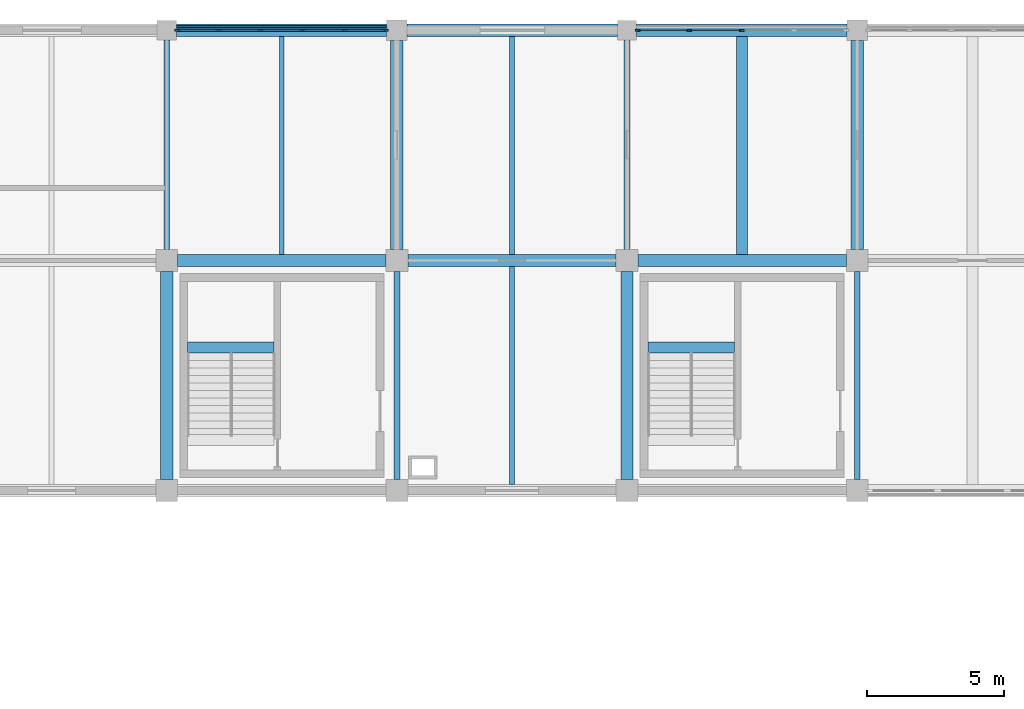
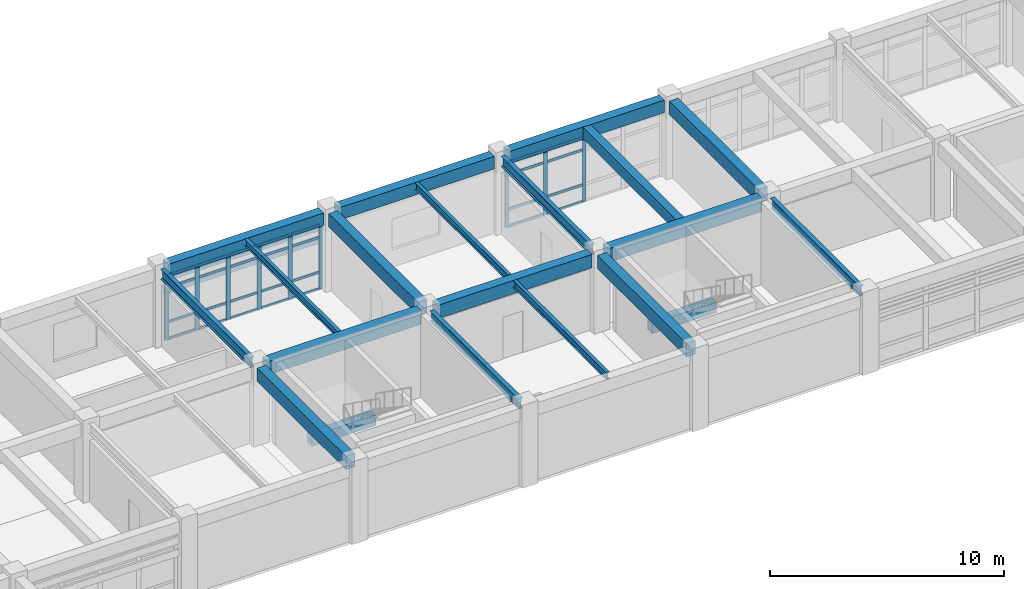
# One storey, part 37 of 74: 39 members, 20 beams, 2 elements without a shape of their own.
"""IFC4 building model written with IfcOpenShell, lengths in metres."""

from ifc_helpers import new_model, si_unit, direction, frame, origin, origin_2d, place, context, subcontext, project, spatial, rectangle, i_section, extrude, material, layer, layer_set, material_profile, profile_set, type_object, element, aggregate, save


model = new_model("IFC4")

# Units and contexts
model_context = context("Model", 3, precision=1e-05, world=origin(), true_north=direction((0.0, 1.0)))
body_context = subcontext(model_context, "Body", "Model", "MODEL_VIEW")
ifc_project = project(units=[si_unit("LENGTHUNIT", "METRE"), si_unit("AREAUNIT", "SQUARE_METRE"), si_unit("VOLUMEUNIT", "CUBIC_METRE"), si_unit("PLANEANGLEUNIT", "RADIAN"), si_unit("MASSUNIT", "GRAM", prefix="KILO")], contexts=[model_context])

# Site, building, storey
site_placement = place(None, origin())
site = spatial("IfcSite", under=ifc_project, at=site_placement, CompositionType="ELEMENT")
building_placement = place(site_placement, origin())
building = spatial("IfcBuilding", under=site, at=building_placement, Name="Porcellanite Civic Hall", CompositionType="ELEMENT")
storey_placement = place(building_placement, frame((0.0, 0.0, 14.760009765625)))
storey = spatial("IfcBuildingStorey", under=building, at=storey_placement, Name="L03", CompositionType="ELEMENT", Elevation=14.760009765625)

# Beams
ifc_material_1 = material(Name="Concrete N50 (50 MPa)", Category="concrete")
ifc_material_profile_1 = material_profile(ifc_material_1, rectangle(XDim=0.39990234375, YDim=0.550048828125, at=origin_2d()), Name="RC-400x550")
ifc_profile_set_1 = profile_set([ifc_material_profile_1], Name="Concrete N50 (50 MPa)")
beam_type_1 = type_object("IfcBeamType", Name="BM-RC550", PredefinedType="JOIST", material=ifc_profile_set_1)
beam_1_placement = place(storey_placement, frame((76.360595703125, 106.02490234375, 1.705078125), z_axis=(1.0, 0.0, 0.0), x_axis=(0.0, 1.0, 0.0)))
element("IfcBeam", 1, at=beam_1_placement, inside=storey, type_object=beam_type_1, Name="Stair landing beam S9 L03", PredefinedType="JOIST", context=body_context, shape_type="SweptSolid", body=[
    extrude(rectangle(XDim=0.39990234375, YDim=0.550048828125, at=origin_2d()), origin(), (0.0, 0.0, 1.0), 3.158935546875),
])
beam_2_placement = place(storey_placement, frame((93.160400390625, 106.02490234375, 1.705078125), z_axis=(1.0, 0.0, 0.0), x_axis=(0.0, 1.0, 0.0)))
element("IfcBeam", 2, at=beam_2_placement, inside=storey, type_object=beam_type_1, Name="Stair landing beam S10 L03", PredefinedType="JOIST", context=body_context, shape_type="SweptSolid", body=[
    extrude(rectangle(XDim=0.39990234375, YDim=0.550048828125, at=origin_2d()), origin(), (0.0, 0.0, 1.0), 3.1591796875),
])
ifc_material_2 = material(Name="Concrete N50 (50 MPa)", Category="concrete")
ifc_material_profile_2 = material_profile(ifc_material_2, rectangle(XDim=0.39990234375, YDim=0.60009765625, at=origin_2d()), Name="RC-400x600")
ifc_profile_set_2 = profile_set([ifc_material_profile_2], Name="Concrete N50 (50 MPa)")
beam_type_2 = type_object("IfcBeamType", Name="BM-RC600", PredefinedType="JOIST", material=ifc_profile_set_2)
beam_3_placement = place(storey_placement, frame((96.60009765625, 109.424560546875, 3.77001953125), z_axis=(0.0, 1.0, 0.0), x_axis=(-1.0, 0.0, 0.0)))
element("IfcBeam", 3, at=beam_3_placement, inside=storey, type_object=beam_type_2, Name="Secondary joist L03 12-14", PredefinedType="JOIST", context=body_context, shape_type="SweptSolid", body=[
    extrude(rectangle(XDim=0.39990234375, YDim=0.60009765625, at=origin_2d()), origin(), (0.0, 0.0, 1.0), 7.950927734375),
])
ifc_material_3 = material(Name="Concrete N50 (50 MPa)", Category="concrete")
ifc_material_profile_3 = material_profile(ifc_material_3, rectangle(XDim=0.449951171875, YDim=0.64990234375, at=origin_2d()), Name="RC-450x650")
ifc_profile_set_3 = profile_set([ifc_material_profile_3], Name="Concrete N50 (50 MPa)")
beam_type_3 = type_object("IfcBeamType", Name="BM-RC650", PredefinedType="SPANDREL", material=ifc_profile_set_3)
for number, where, z_axis, x_axis, name in (
    (4, (75.949462890625, 117.60009765625, 3.744873046875), (1.0, 0.0, 0.0), (0.0, 1.0, 0.0), "Beam X L03 10-15"),
    (5, (84.37451171875, 117.60009765625, 3.744873046875), (1.0, 0.0, 0.0), (0.0, 1.0, 0.0), "Beam X L03 11-15"),
    (6, (92.74951171875, 117.60009765625, 3.744873046875), (1.0, 0.0, 0.0), (0.0, 1.0, 0.0), "Beam X L03 12-15"),
):
    element("IfcBeam", number, at=place(storey_placement, frame(where, z_axis=z_axis, x_axis=x_axis)), inside=storey, type_object=beam_type_3, Name=name, PredefinedType="SPANDREL", context=body_context, shape_type="SweptSolid", body=[
        extrude(rectangle(XDim=0.449951171875, YDim=0.64990234375, at=origin_2d()), origin(), (0.0, 0.0, 1.0), 7.676025390625),
    ])
ifc_material_4 = material(Name="Concrete N50 (50 MPa)", Category="concrete")
ifc_material_profile_4 = material_profile(ifc_material_4, rectangle(XDim=0.449951171875, YDim=0.699951171875, at=origin_2d()), Name="RC-450x700")
ifc_profile_set_4 = profile_set([ifc_material_profile_4], Name="Concrete N50 (50 MPa)")
beam_type_4 = type_object("IfcBeamType", Name="BM-RC700", PredefinedType="BEAM", material=ifc_profile_set_4)
for number, where, z_axis, x_axis, name in (
    (7, (75.99951171875, 109.199951171875, 3.719970703125), (1.0, 0.0, 0.0), (0.0, 1.0, 0.0), "Beam X L03 10-14"),
    (8, (84.3994140625, 109.199951171875, 3.719970703125), (1.0, 0.0, 0.0), (0.0, 1.0, 0.0), "Beam X L03 11-14"),
):
    element("IfcBeam", number, at=place(storey_placement, frame(where, z_axis=z_axis, x_axis=x_axis)), inside=storey, type_object=beam_type_4, Name=name, PredefinedType="BEAM", context=body_context, shape_type="SweptSolid", body=[
        extrude(rectangle(XDim=0.449951171875, YDim=0.699951171875, at=origin_2d()), origin(), (0.0, 0.0, 1.0), 7.60107421875),
    ])
beam_4_placement = place(storey_placement, frame((92.799560546875, 109.199951171875, 3.719970703125), z_axis=(1.0, 0.0, 0.0), x_axis=(0.0, 1.0, 0.0)))
element("IfcBeam", 9, at=beam_4_placement, inside=storey, type_object=beam_type_4, Name="Beam X L03 12-14", PredefinedType="BEAM", context=body_context, shape_type="SweptSolid", body=[
    extrude(rectangle(XDim=0.449951171875, YDim=0.699951171875, at=origin_2d()), origin(), (0.0, 0.0, 1.0), 7.600830078125),
])
beam_5_placement = place(storey_placement, frame((75.60009765625, 101.199462890625, 3.719970703125), z_axis=(0.0, 1.0, 0.0), x_axis=(-1.0, 0.0, 0.0)))
element("IfcBeam", 10, at=beam_5_placement, inside=storey, type_object=beam_type_4, Name="Beam Y L03 10-13", PredefinedType="BEAM", context=body_context, shape_type="SweptSolid", body=[
    extrude(rectangle(XDim=0.449951171875, YDim=0.699951171875, at=origin_2d()), origin(), (0.0, 0.0, 1.0), 7.60107421875),
])
beam_6_placement = place(storey_placement, frame((84.0, 109.599609375, 3.719970703125), z_axis=(0.0, 1.0, 0.0), x_axis=(-1.0, 0.0, 0.0)))
element("IfcBeam", 11, at=beam_6_placement, inside=storey, type_object=beam_type_4, Name="Beam Y L03 11-14", PredefinedType="BEAM", context=body_context, shape_type="SweptSolid", body=[
    extrude(rectangle(XDim=0.449951171875, YDim=0.699951171875, at=origin_2d()), origin(), (0.0, 0.0, 1.0), 7.6259765625),
])
beam_7_placement = place(storey_placement, frame((92.39990234375, 101.199462890625, 3.719970703125), z_axis=(0.0, 1.0, 0.0), x_axis=(-1.0, 0.0, 0.0)))
element("IfcBeam", 12, at=beam_7_placement, inside=storey, type_object=beam_type_4, Name="Beam Y L03 12-13", PredefinedType="BEAM", context=body_context, shape_type="SweptSolid", body=[
    extrude(rectangle(XDim=0.449951171875, YDim=0.699951171875, at=origin_2d()), origin(), (0.0, 0.0, 1.0), 7.60107421875),
])
beam_8_placement = place(storey_placement, frame((100.800048828125, 109.599609375, 3.719970703125), z_axis=(0.0, 1.0, 0.0), x_axis=(-1.0, 0.0, 0.0)))
element("IfcBeam", 13, at=beam_8_placement, inside=storey, type_object=beam_type_4, Name="Beam Y L03 13-14", PredefinedType="BEAM", context=body_context, shape_type="SweptSolid", body=[
    extrude(rectangle(XDim=0.449951171875, YDim=0.699951171875, at=origin_2d()), origin(), (0.0, 0.0, 1.0), 7.6259765625),
])

# Curtain wall, members
ifc_material_5 = material(Name="Anodised aluminium and solar laminated glass", Category="aluminium")
ifc_layer_1 = layer(ifc_material_5, 0.179931640625)
ifc_layer_set_1 = layer_set([ifc_layer_1], Name="Anodised aluminium and solar laminated glass")
curtain_wall_type_1 = type_object("IfcCurtainWallType", Name="CW-SYS01", PredefinedType="NOTDEFINED", material=ifc_layer_set_1)
curtain_wall_1_placement = place(storey_placement, origin())
curtain_wall_1 = element("IfcCurtainWall", 14, at=curtain_wall_1_placement, inside=storey, type_object=curtain_wall_type_1, Name="Curtain wall CW-209", PredefinedType="NOTDEFINED")
ifc_material_6 = material(Name="Anodised aluminium 6063-T6", Category="aluminium")
ifc_material_profile_5 = material_profile(ifc_material_6, rectangle(XDim=0.070068359375, YDim=0.199951171875, at=origin_2d()), Name="AL-70x200")
ifc_profile_set_5 = profile_set([ifc_material_profile_5], Name="Anodised aluminium 6063-T6")
member_type_1 = type_object("IfcMemberType", Name="CWM-05", PredefinedType="MULLION", material=ifc_profile_set_5)
member_1_placement = place(storey_placement, frame((75.986083984375, 117.60009765625, 0.0), z_axis=(0.0, 0.0, 1.0), x_axis=(0.0, 1.0, 0.0)))
member_1 = element("IfcMember", 15, at=member_1_placement, type_object=member_type_1, Name="CW-209 mullion 1", PredefinedType="MULLION", context=body_context, shape_type="SweptSolid", body=[
    extrude(rectangle(XDim=0.070068359375, YDim=0.199951171875, at=origin_2d()), origin(), (0.0, 0.0, 1.0), 3.369873046875),
])
member_2_placement = place(storey_placement, frame((77.485595703125, 117.60009765625, 0.0), z_axis=(0.0, 0.0, 1.0), x_axis=(0.0, 1.0, 0.0)))
member_2 = element("IfcMember", 16, at=member_2_placement, type_object=member_type_1, Name="CW-209 mullion 2", PredefinedType="MULLION", context=body_context, shape_type="SweptSolid", body=[
    extrude(rectangle(XDim=0.070068359375, YDim=0.199951171875, at=origin_2d()), origin(), (0.0, 0.0, 1.0), 3.369873046875),
])
member_3_placement = place(storey_placement, frame((79.020263671875, 117.60009765625, 0.0), z_axis=(0.0, 0.0, 1.0), x_axis=(0.0, 1.0, 0.0)))
member_3 = element("IfcMember", 17, at=member_3_placement, type_object=member_type_1, Name="CW-209 mullion 3", PredefinedType="MULLION", context=body_context, shape_type="SweptSolid", body=[
    extrude(rectangle(XDim=0.070068359375, YDim=0.199951171875, at=origin_2d()), origin(), (0.0, 0.0, 1.0), 3.369873046875),
])
member_4_placement = place(storey_placement, frame((80.5546875, 117.60009765625, 0.0), z_axis=(0.0, 0.0, 1.0), x_axis=(0.0, 1.0, 0.0)))
member_4 = element("IfcMember", 18, at=member_4_placement, type_object=member_type_1, Name="CW-209 mullion 4", PredefinedType="MULLION", context=body_context, shape_type="SweptSolid", body=[
    extrude(rectangle(XDim=0.070068359375, YDim=0.199951171875, at=origin_2d()), origin(), (0.0, 0.0, 1.0), 3.369873046875),
])
member_5_placement = place(storey_placement, frame((82.08935546875, 117.60009765625, 0.0), z_axis=(0.0, 0.0, 1.0), x_axis=(0.0, 1.0, 0.0)))
member_5 = element("IfcMember", 19, at=member_5_placement, type_object=member_type_1, Name="CW-209 mullion 5", PredefinedType="MULLION", context=body_context, shape_type="SweptSolid", body=[
    extrude(rectangle(XDim=0.070068359375, YDim=0.199951171875, at=origin_2d()), origin(), (0.0, 0.0, 1.0), 3.369873046875),
])
member_6_placement = place(storey_placement, frame((83.589111328125, 117.60009765625, 0.0), z_axis=(0.0, 0.0, 1.0), x_axis=(0.0, 1.0, 0.0)))
member_6 = element("IfcMember", 20, at=member_6_placement, type_object=member_type_1, Name="CW-209 mullion 6", PredefinedType="MULLION", context=body_context, shape_type="SweptSolid", body=[
    extrude(rectangle(XDim=0.070068359375, YDim=0.199951171875, at=origin_2d()), origin(), (0.0, 0.0, 1.0), 3.369873046875),
])

ifc_material_7 = material(Name="Anodised aluminium and solar laminated glass", Category="aluminium")
ifc_layer_2 = layer(ifc_material_7, 0.179931640625)
ifc_layer_set_2 = layer_set([ifc_layer_2], Name="Anodised aluminium and solar laminated glass")
curtain_wall_type_2 = type_object("IfcCurtainWallType", Name="CW-SYS06", PredefinedType="NOTDEFINED", material=ifc_layer_set_2)
curtain_wall_2_placement = place(storey_placement, origin())
curtain_wall_2 = element("IfcCurtainWall", 21, at=curtain_wall_2_placement, inside=storey, type_object=curtain_wall_type_2, Name="Curtain wall CW-212", PredefinedType="NOTDEFINED")
ifc_material_8 = material(Name="Anodised aluminium 6063-T6", Category="aluminium")
ifc_material_profile_6 = material_profile(ifc_material_8, rectangle(XDim=0.06494140625, YDim=0.179931640625, at=origin_2d()), Name="AL-65x180")
ifc_profile_set_6 = profile_set([ifc_material_profile_6], Name="Anodised aluminium 6063-T6")
member_type_2 = type_object("IfcMemberType", Name="CWM-06", PredefinedType="MULLION", material=ifc_profile_set_6)
member_7_placement = place(storey_placement, frame((92.783447265625, 117.60009765625, 0.0), z_axis=(0.0, 0.0, 1.0), x_axis=(0.0, 1.0, 0.0)))
member_7 = element("IfcMember", 22, at=member_7_placement, type_object=member_type_2, Name="CW-212 mullion 1", PredefinedType="MULLION", context=body_context, shape_type="SweptSolid", body=[
    extrude(rectangle(XDim=0.06494140625, YDim=0.179931640625, at=origin_2d()), origin(), (0.0, 0.0, 1.0), 3.369873046875),
])
member_8_placement = place(storey_placement, frame((94.669189453125, 117.60009765625, 0.0), z_axis=(0.0, 0.0, 1.0), x_axis=(0.0, 1.0, 0.0)))
member_8 = element("IfcMember", 23, at=member_8_placement, type_object=member_type_2, Name="CW-212 mullion 2", PredefinedType="MULLION", context=body_context, shape_type="SweptSolid", body=[
    extrude(rectangle(XDim=0.06494140625, YDim=0.179931640625, at=origin_2d()), origin(), (0.0, 0.0, 1.0), 3.369873046875),
])
member_9_placement = place(storey_placement, frame((96.58740234375, 117.60009765625, 0.0), z_axis=(0.0, 0.0, 1.0), x_axis=(0.0, 1.0, 0.0)))
member_9 = element("IfcMember", 24, at=member_9_placement, type_object=member_type_2, Name="CW-212 mullion 3", PredefinedType="MULLION", context=body_context, shape_type="SweptSolid", body=[
    extrude(rectangle(XDim=0.06494140625, YDim=0.179931640625, at=origin_2d()), origin(), (0.0, 0.0, 1.0), 3.369873046875),
])

# Member
ifc_material_9 = material(Name="Anodised aluminium 6063-T6", Category="aluminium")
ifc_material_profile_7 = material_profile(ifc_material_9, rectangle(XDim=0.06005859375, YDim=0.1298828125, at=origin_2d()), Name="AL-60x130")
ifc_profile_set_7 = profile_set([ifc_material_profile_7], Name="Anodised aluminium 6063-T6")
member_type_3 = type_object("IfcMemberType", Name="CWT-03", PredefinedType="USERDEFINED", material=ifc_profile_set_7)
member_10_placement = place(storey_placement, frame((76.02099609375, 117.60009765625, 0.030029296875), z_axis=(1.0, 0.0, 0.0), x_axis=(0.0, 1.0, 0.0)))
member_10 = element("IfcMember", 25, at=member_10_placement, type_object=member_type_3, Name="CW-209 transom 1.1", ObjectType="TRANSOM", PredefinedType="USERDEFINED", context=body_context, shape_type="SweptSolid", body=[
    extrude(rectangle(XDim=0.06005859375, YDim=0.1298828125, at=origin_2d()), origin(), (0.0, 0.0, 1.0), 1.4296875),
])

member_11_placement = place(storey_placement, frame((76.02099609375, 117.60009765625, 0.89990234375), z_axis=(1.0, 0.0, 0.0), x_axis=(0.0, 1.0, 0.0)))
member_11 = element("IfcMember", 26, at=member_11_placement, type_object=member_type_3, Name="CW-209 transom 1.2", ObjectType="TRANSOM", PredefinedType="USERDEFINED", context=body_context, shape_type="SweptSolid", body=[
    extrude(rectangle(XDim=0.06005859375, YDim=0.1298828125, at=origin_2d()), origin(), (0.0, 0.0, 1.0), 1.4296875),
])

member_12_placement = place(storey_placement, frame((76.02099609375, 117.60009765625, 2.719970703125), z_axis=(1.0, 0.0, 0.0), x_axis=(0.0, 1.0, 0.0)))
member_12 = element("IfcMember", 27, at=member_12_placement, type_object=member_type_3, Name="CW-209 transom 1.3", ObjectType="TRANSOM", PredefinedType="USERDEFINED", context=body_context, shape_type="SweptSolid", body=[
    extrude(rectangle(XDim=0.06005859375, YDim=0.1298828125, at=origin_2d()), origin(), (0.0, 0.0, 1.0), 1.4296875),
])

member_13_placement = place(storey_placement, frame((76.02099609375, 117.60009765625, 3.340087890625), z_axis=(1.0, 0.0, 0.0), x_axis=(0.0, 1.0, 0.0)))
member_13 = element("IfcMember", 28, at=member_13_placement, type_object=member_type_3, Name="CW-209 transom 1.4", ObjectType="TRANSOM", PredefinedType="USERDEFINED", context=body_context, shape_type="SweptSolid", body=[
    extrude(rectangle(XDim=0.06005859375, YDim=0.1298828125, at=origin_2d()), origin(), (0.0, 0.0, 1.0), 1.4296875),
])

member_14_placement = place(storey_placement, frame((77.5205078125, 117.60009765625, 0.030029296875), z_axis=(1.0, 0.0, 0.0), x_axis=(0.0, 1.0, 0.0)))
member_14 = element("IfcMember", 29, at=member_14_placement, type_object=member_type_3, Name="CW-209 transom 2.1", ObjectType="TRANSOM", PredefinedType="USERDEFINED", context=body_context, shape_type="SweptSolid", body=[
    extrude(rectangle(XDim=0.06005859375, YDim=0.1298828125, at=origin_2d()), origin(), (0.0, 0.0, 1.0), 1.464599609375),
])

member_15_placement = place(storey_placement, frame((77.5205078125, 117.60009765625, 0.89990234375), z_axis=(1.0, 0.0, 0.0), x_axis=(0.0, 1.0, 0.0)))
member_15 = element("IfcMember", 30, at=member_15_placement, type_object=member_type_3, Name="CW-209 transom 2.2", ObjectType="TRANSOM", PredefinedType="USERDEFINED", context=body_context, shape_type="SweptSolid", body=[
    extrude(rectangle(XDim=0.06005859375, YDim=0.1298828125, at=origin_2d()), origin(), (0.0, 0.0, 1.0), 1.464599609375),
])

member_16_placement = place(storey_placement, frame((77.5205078125, 117.60009765625, 2.719970703125), z_axis=(1.0, 0.0, 0.0), x_axis=(0.0, 1.0, 0.0)))
member_16 = element("IfcMember", 31, at=member_16_placement, type_object=member_type_3, Name="CW-209 transom 2.3", ObjectType="TRANSOM", PredefinedType="USERDEFINED", context=body_context, shape_type="SweptSolid", body=[
    extrude(rectangle(XDim=0.06005859375, YDim=0.1298828125, at=origin_2d()), origin(), (0.0, 0.0, 1.0), 1.464599609375),
])

member_17_placement = place(storey_placement, frame((77.5205078125, 117.60009765625, 3.340087890625), z_axis=(1.0, 0.0, 0.0), x_axis=(0.0, 1.0, 0.0)))
member_17 = element("IfcMember", 32, at=member_17_placement, type_object=member_type_3, Name="CW-209 transom 2.4", ObjectType="TRANSOM", PredefinedType="USERDEFINED", context=body_context, shape_type="SweptSolid", body=[
    extrude(rectangle(XDim=0.06005859375, YDim=0.1298828125, at=origin_2d()), origin(), (0.0, 0.0, 1.0), 1.464599609375),
])

member_18_placement = place(storey_placement, frame((79.05517578125, 117.60009765625, 0.030029296875), z_axis=(1.0, 0.0, 0.0), x_axis=(0.0, 1.0, 0.0)))
member_18 = element("IfcMember", 33, at=member_18_placement, type_object=member_type_3, Name="CW-209 transom 3.1", ObjectType="TRANSOM", PredefinedType="USERDEFINED", context=body_context, shape_type="SweptSolid", body=[
    extrude(rectangle(XDim=0.06005859375, YDim=0.1298828125, at=origin_2d()), origin(), (0.0, 0.0, 1.0), 1.464599609375),
])

member_19_placement = place(storey_placement, frame((79.05517578125, 117.60009765625, 0.89990234375), z_axis=(1.0, 0.0, 0.0), x_axis=(0.0, 1.0, 0.0)))
member_19 = element("IfcMember", 34, at=member_19_placement, type_object=member_type_3, Name="CW-209 transom 3.2", ObjectType="TRANSOM", PredefinedType="USERDEFINED", context=body_context, shape_type="SweptSolid", body=[
    extrude(rectangle(XDim=0.06005859375, YDim=0.1298828125, at=origin_2d()), origin(), (0.0, 0.0, 1.0), 1.464599609375),
])

member_20_placement = place(storey_placement, frame((79.05517578125, 117.60009765625, 2.719970703125), z_axis=(1.0, 0.0, 0.0), x_axis=(0.0, 1.0, 0.0)))
member_20 = element("IfcMember", 35, at=member_20_placement, type_object=member_type_3, Name="CW-209 transom 3.3", ObjectType="TRANSOM", PredefinedType="USERDEFINED", context=body_context, shape_type="SweptSolid", body=[
    extrude(rectangle(XDim=0.06005859375, YDim=0.1298828125, at=origin_2d()), origin(), (0.0, 0.0, 1.0), 1.464599609375),
])

member_21_placement = place(storey_placement, frame((79.05517578125, 117.60009765625, 3.340087890625), z_axis=(1.0, 0.0, 0.0), x_axis=(0.0, 1.0, 0.0)))
member_21 = element("IfcMember", 36, at=member_21_placement, type_object=member_type_3, Name="CW-209 transom 3.4", ObjectType="TRANSOM", PredefinedType="USERDEFINED", context=body_context, shape_type="SweptSolid", body=[
    extrude(rectangle(XDim=0.06005859375, YDim=0.1298828125, at=origin_2d()), origin(), (0.0, 0.0, 1.0), 1.464599609375),
])

member_22_placement = place(storey_placement, frame((80.58984375, 117.60009765625, 0.030029296875), z_axis=(1.0, 0.0, 0.0), x_axis=(0.0, 1.0, 0.0)))
member_22 = element("IfcMember", 37, at=member_22_placement, type_object=member_type_3, Name="CW-209 transom 4.1", ObjectType="TRANSOM", PredefinedType="USERDEFINED", context=body_context, shape_type="SweptSolid", body=[
    extrude(rectangle(XDim=0.06005859375, YDim=0.1298828125, at=origin_2d()), origin(), (0.0, 0.0, 1.0), 1.464599609375),
])

member_23_placement = place(storey_placement, frame((80.58984375, 117.60009765625, 0.89990234375), z_axis=(1.0, 0.0, 0.0), x_axis=(0.0, 1.0, 0.0)))
member_23 = element("IfcMember", 38, at=member_23_placement, type_object=member_type_3, Name="CW-209 transom 4.2", ObjectType="TRANSOM", PredefinedType="USERDEFINED", context=body_context, shape_type="SweptSolid", body=[
    extrude(rectangle(XDim=0.06005859375, YDim=0.1298828125, at=origin_2d()), origin(), (0.0, 0.0, 1.0), 1.464599609375),
])

member_24_placement = place(storey_placement, frame((80.58984375, 117.60009765625, 2.719970703125), z_axis=(1.0, 0.0, 0.0), x_axis=(0.0, 1.0, 0.0)))
member_24 = element("IfcMember", 39, at=member_24_placement, type_object=member_type_3, Name="CW-209 transom 4.3", ObjectType="TRANSOM", PredefinedType="USERDEFINED", context=body_context, shape_type="SweptSolid", body=[
    extrude(rectangle(XDim=0.06005859375, YDim=0.1298828125, at=origin_2d()), origin(), (0.0, 0.0, 1.0), 1.464599609375),
])

member_25_placement = place(storey_placement, frame((80.58984375, 117.60009765625, 3.340087890625), z_axis=(1.0, 0.0, 0.0), x_axis=(0.0, 1.0, 0.0)))
member_25 = element("IfcMember", 40, at=member_25_placement, type_object=member_type_3, Name="CW-209 transom 4.4", ObjectType="TRANSOM", PredefinedType="USERDEFINED", context=body_context, shape_type="SweptSolid", body=[
    extrude(rectangle(XDim=0.06005859375, YDim=0.1298828125, at=origin_2d()), origin(), (0.0, 0.0, 1.0), 1.464599609375),
])

member_26_placement = place(storey_placement, frame((82.12451171875, 117.60009765625, 0.030029296875), z_axis=(1.0, 0.0, 0.0), x_axis=(0.0, 1.0, 0.0)))
member_26 = element("IfcMember", 41, at=member_26_placement, type_object=member_type_3, Name="CW-209 transom 5.1", ObjectType="TRANSOM", PredefinedType="USERDEFINED", context=body_context, shape_type="SweptSolid", body=[
    extrude(rectangle(XDim=0.06005859375, YDim=0.1298828125, at=origin_2d()), origin(), (0.0, 0.0, 1.0), 1.429443359375),
])

member_27_placement = place(storey_placement, frame((82.12451171875, 117.60009765625, 0.89990234375), z_axis=(1.0, 0.0, 0.0), x_axis=(0.0, 1.0, 0.0)))
member_27 = element("IfcMember", 42, at=member_27_placement, type_object=member_type_3, Name="CW-209 transom 5.2", ObjectType="TRANSOM", PredefinedType="USERDEFINED", context=body_context, shape_type="SweptSolid", body=[
    extrude(rectangle(XDim=0.06005859375, YDim=0.1298828125, at=origin_2d()), origin(), (0.0, 0.0, 1.0), 1.429443359375),
])

member_28_placement = place(storey_placement, frame((82.12451171875, 117.60009765625, 2.719970703125), z_axis=(1.0, 0.0, 0.0), x_axis=(0.0, 1.0, 0.0)))
member_28 = element("IfcMember", 43, at=member_28_placement, type_object=member_type_3, Name="CW-209 transom 5.3", ObjectType="TRANSOM", PredefinedType="USERDEFINED", context=body_context, shape_type="SweptSolid", body=[
    extrude(rectangle(XDim=0.06005859375, YDim=0.1298828125, at=origin_2d()), origin(), (0.0, 0.0, 1.0), 1.429443359375),
])

member_29_placement = place(storey_placement, frame((82.12451171875, 117.60009765625, 3.340087890625), z_axis=(1.0, 0.0, 0.0), x_axis=(0.0, 1.0, 0.0)))
member_29 = element("IfcMember", 44, at=member_29_placement, type_object=member_type_3, Name="CW-209 transom 5.4", ObjectType="TRANSOM", PredefinedType="USERDEFINED", context=body_context, shape_type="SweptSolid", body=[
    extrude(rectangle(XDim=0.06005859375, YDim=0.1298828125, at=origin_2d()), origin(), (0.0, 0.0, 1.0), 1.429443359375),
])

aggregate(curtain_wall_1, [member_1, member_2, member_3, member_4, member_5, member_6, member_10, member_11, member_12, member_13, member_14, member_15, member_16, member_17, member_18, member_19, member_20, member_21, member_22, member_23, member_24, member_25, member_26, member_27, member_28, member_29])

ifc_material_10 = material(Name="Anodised aluminium 6063-T6", Category="aluminium")
ifc_material_profile_8 = material_profile(ifc_material_10, rectangle(XDim=0.050048828125, YDim=0.139892578125, at=origin_2d()), Name="AL-50x140")
ifc_profile_set_8 = profile_set([ifc_material_profile_8], Name="Anodised aluminium 6063-T6")
member_type_4 = type_object("IfcMemberType", Name="CWT-06", PredefinedType="USERDEFINED", material=ifc_profile_set_8)
member_30_placement = place(storey_placement, frame((92.81591796875, 117.60009765625, 0.02490234375), z_axis=(1.0, 0.0, 0.0), x_axis=(0.0, 1.0, 0.0)))
member_30 = element("IfcMember", 45, at=member_30_placement, type_object=member_type_4, Name="CW-212 transom 1.1", ObjectType="TRANSOM", PredefinedType="USERDEFINED", context=body_context, shape_type="SweptSolid", body=[
    extrude(rectangle(XDim=0.050048828125, YDim=0.139892578125, at=origin_2d()), origin(), (0.0, 0.0, 1.0), 1.82080078125),
])

member_31_placement = place(storey_placement, frame((92.81591796875, 117.60009765625, 0.89990234375), z_axis=(1.0, 0.0, 0.0), x_axis=(0.0, 1.0, 0.0)))
member_31 = element("IfcMember", 46, at=member_31_placement, type_object=member_type_4, Name="CW-212 transom 1.2", ObjectType="TRANSOM", PredefinedType="USERDEFINED", context=body_context, shape_type="SweptSolid", body=[
    extrude(rectangle(XDim=0.050048828125, YDim=0.139892578125, at=origin_2d()), origin(), (0.0, 0.0, 1.0), 1.82080078125),
])

member_32_placement = place(storey_placement, frame((92.81591796875, 117.60009765625, 2.719970703125), z_axis=(1.0, 0.0, 0.0), x_axis=(0.0, 1.0, 0.0)))
member_32 = element("IfcMember", 47, at=member_32_placement, type_object=member_type_4, Name="CW-212 transom 1.3", ObjectType="TRANSOM", PredefinedType="USERDEFINED", context=body_context, shape_type="SweptSolid", body=[
    extrude(rectangle(XDim=0.050048828125, YDim=0.139892578125, at=origin_2d()), origin(), (0.0, 0.0, 1.0), 1.82080078125),
])

member_33_placement = place(storey_placement, frame((92.81591796875, 117.60009765625, 3.344970703125), z_axis=(1.0, 0.0, 0.0), x_axis=(0.0, 1.0, 0.0)))
member_33 = element("IfcMember", 48, at=member_33_placement, type_object=member_type_4, Name="CW-212 transom 1.4", ObjectType="TRANSOM", PredefinedType="USERDEFINED", context=body_context, shape_type="SweptSolid", body=[
    extrude(rectangle(XDim=0.050048828125, YDim=0.139892578125, at=origin_2d()), origin(), (0.0, 0.0, 1.0), 1.82080078125),
])

member_34_placement = place(storey_placement, frame((94.70166015625, 117.60009765625, 0.02490234375), z_axis=(1.0, 0.0, 0.0), x_axis=(0.0, 1.0, 0.0)))
member_34 = element("IfcMember", 49, at=member_34_placement, type_object=member_type_4, Name="CW-212 transom 2.1", ObjectType="TRANSOM", PredefinedType="USERDEFINED", context=body_context, shape_type="SweptSolid", body=[
    extrude(rectangle(XDim=0.050048828125, YDim=0.139892578125, at=origin_2d()), origin(), (0.0, 0.0, 1.0), 1.853271484375),
])

member_35_placement = place(storey_placement, frame((94.70166015625, 117.60009765625, 0.89990234375), z_axis=(1.0, 0.0, 0.0), x_axis=(0.0, 1.0, 0.0)))
member_35 = element("IfcMember", 50, at=member_35_placement, type_object=member_type_4, Name="CW-212 transom 2.2", ObjectType="TRANSOM", PredefinedType="USERDEFINED", context=body_context, shape_type="SweptSolid", body=[
    extrude(rectangle(XDim=0.050048828125, YDim=0.139892578125, at=origin_2d()), origin(), (0.0, 0.0, 1.0), 1.853271484375),
])

member_36_placement = place(storey_placement, frame((94.70166015625, 117.60009765625, 2.719970703125), z_axis=(1.0, 0.0, 0.0), x_axis=(0.0, 1.0, 0.0)))
member_36 = element("IfcMember", 51, at=member_36_placement, type_object=member_type_4, Name="CW-212 transom 2.3", ObjectType="TRANSOM", PredefinedType="USERDEFINED", context=body_context, shape_type="SweptSolid", body=[
    extrude(rectangle(XDim=0.050048828125, YDim=0.139892578125, at=origin_2d()), origin(), (0.0, 0.0, 1.0), 1.853271484375),
])

member_37_placement = place(storey_placement, frame((94.70166015625, 117.60009765625, 3.344970703125), z_axis=(1.0, 0.0, 0.0), x_axis=(0.0, 1.0, 0.0)))
member_37 = element("IfcMember", 52, at=member_37_placement, type_object=member_type_4, Name="CW-212 transom 2.4", ObjectType="TRANSOM", PredefinedType="USERDEFINED", context=body_context, shape_type="SweptSolid", body=[
    extrude(rectangle(XDim=0.050048828125, YDim=0.139892578125, at=origin_2d()), origin(), (0.0, 0.0, 1.0), 1.853271484375),
])

aggregate(curtain_wall_2, [member_7, member_8, member_9, member_30, member_31, member_32, member_33, member_34, member_35, member_36, member_37])

# Beams
ifc_material_11 = material(Name="Steel Grade 350", Category="steel")
ifc_material_profile_9 = material_profile(ifc_material_11, i_section(OverallWidth=0.1708984375, OverallDepth=0.35595703125, WebThickness=0.00732421875, FlangeThickness=0.011474609375, FilletRadius=0.011474609375, at=origin_2d()), Name="360UB50.7")
ifc_profile_set_9 = profile_set([ifc_material_profile_9], Name="Steel Grade 350")
beam_type_5 = type_object("IfcBeamType", Name="JST-360UB51", PredefinedType="JOIST", material=ifc_profile_set_9)
beam_9_placement = place(storey_placement, frame((88.199951171875, 109.424560546875, 3.89208984375), z_axis=(0.0, 1.0, 0.0), x_axis=(-1.0, 0.0, 0.0)))
element("IfcBeam", 53, at=beam_9_placement, inside=storey, type_object=beam_type_5, Name="Secondary joist L03 11-14", PredefinedType="JOIST", context=body_context, shape_type="SweptSolid", body=[
    extrude(i_section(OverallWidth=0.1708984375, OverallDepth=0.35595703125, WebThickness=0.00732421875, FlangeThickness=0.011474609375, FilletRadius=0.011474609375, at=origin_2d()), origin(), (0.0, 0.0, 1.0), 7.950927734375),
])
ifc_material_12 = material(Name="Steel Grade 350", Category="steel")
ifc_material_profile_10 = material_profile(ifc_material_12, i_section(OverallWidth=0.172119140625, OverallDepth=0.35888671875, WebThickness=0.008056640625, FlangeThickness=0.012939453125, FilletRadius=0.011474609375, at=origin_2d()), Name="360UB56.7")
ifc_profile_set_10 = profile_set([ifc_material_profile_10], Name="Steel Grade 350")
beam_type_6 = type_object("IfcBeamType", Name="JST-360UB57", PredefinedType="JOIST", material=ifc_profile_set_10)
beam_10_placement = place(storey_placement, frame((79.800048828125, 109.424560546875, 3.890380859375), z_axis=(0.0, 1.0, 0.0), x_axis=(-1.0, 0.0, 0.0)))
element("IfcBeam", 54, at=beam_10_placement, inside=storey, type_object=beam_type_6, Name="Secondary joist L03 10-14", PredefinedType="JOIST", context=body_context, shape_type="SweptSolid", body=[
    extrude(i_section(OverallWidth=0.172119140625, OverallDepth=0.35888671875, WebThickness=0.008056640625, FlangeThickness=0.012939453125, FilletRadius=0.011474609375, at=origin_2d()), origin(), (0.0, 0.0, 1.0), 7.950927734375),
])
beam_11_placement = place(storey_placement, frame((88.199951171875, 101.0244140625, 3.890380859375), z_axis=(0.0, 1.0, 0.0), x_axis=(-1.0, 0.0, 0.0)))
element("IfcBeam", 55, at=beam_11_placement, inside=storey, type_object=beam_type_6, Name="Secondary joist L03 11-13", PredefinedType="JOIST", context=body_context, shape_type="SweptSolid", body=[
    extrude(i_section(OverallWidth=0.172119140625, OverallDepth=0.35888671875, WebThickness=0.008056640625, FlangeThickness=0.012939453125, FilletRadius=0.011474609375, at=origin_2d()), origin(), (0.0, 0.0, 1.0), 7.951171875),
])

# Members
ifc_material_13 = material(Name="Fluoropolymer bauxite-red aluminium 6063-T6", Category="aluminium")
ifc_material_profile_11 = material_profile(ifc_material_13, rectangle(XDim=0.070068359375, YDim=0.260009765625, at=origin_2d()), Name="AL-70x260")
ifc_profile_set_11 = profile_set([ifc_material_profile_11], Name="Fluoropolymer bauxite-red aluminium 6063-T6")
member_type_5 = type_object("IfcMemberType", Name="LV-BLD06", PredefinedType="USERDEFINED", material=ifc_profile_set_11)
for number, where, z_axis, x_axis, name in (
    (56, (75.949462890625, 117.737060546875, 3.070068359375), (1.0, 0.0, 0.0), (0.0, 1.0, 0.0), "Cyclone sunshade louvre L03 N 9-13 1"),
    (57, (75.949462890625, 117.737060546875, 2.419921875), (1.0, 0.0, 0.0), (0.0, 1.0, 0.0), "Cyclone sunshade louvre L03 N 9-13 2"),
):
    element("IfcMember", number, at=place(storey_placement, frame(where, z_axis=z_axis, x_axis=x_axis)), inside=storey, type_object=member_type_5, Name=name, ObjectType="LOUVRE BLADE", PredefinedType="USERDEFINED", context=body_context, shape_type="SweptSolid", body=[
        extrude(rectangle(XDim=0.070068359375, YDim=0.260009765625, at=origin_2d()), origin(), (0.0, 0.0, 1.0), 7.676025390625),
    ])

# Beams
ifc_material_14 = material(Name="Steel Grade 350", Category="steel")
ifc_material_profile_12 = material_profile(ifc_material_14, i_section(OverallWidth=0.208984375, OverallDepth=0.528076171875, WebThickness=0.009521484375, FlangeThickness=0.01318359375, FilletRadius=0.013916015625, at=origin_2d()), Name="530UB82.0")
ifc_profile_set_12 = profile_set([ifc_material_profile_12], Name="Steel Grade 350")
beam_type_7 = type_object("IfcBeamType", Name="RAF-530UB82", PredefinedType="BEAM", material=ifc_profile_set_12)
beam_12_placement = place(storey_placement, frame((75.60009765625, 109.599609375, 3.805908203125), z_axis=(0.0, 1.0, 0.0), x_axis=(-1.0, 0.0, 0.0)))
element("IfcBeam", 58, at=beam_12_placement, inside=storey, type_object=beam_type_7, Name="Beam Y L03 10-14", PredefinedType="BEAM", context=body_context, shape_type="SweptSolid", body=[
    extrude(i_section(OverallWidth=0.208984375, OverallDepth=0.528076171875, WebThickness=0.009521484375, FlangeThickness=0.01318359375, FilletRadius=0.013916015625, at=origin_2d()), origin(), (0.0, 0.0, 1.0), 7.65087890625),
])
beam_13_placement = place(storey_placement, frame((84.0, 101.199462890625, 3.805908203125), z_axis=(0.0, 1.0, 0.0), x_axis=(-1.0, 0.0, 0.0)))
element("IfcBeam", 59, at=beam_13_placement, inside=storey, type_object=beam_type_7, Name="Beam Y L03 11-13", PredefinedType="BEAM", context=body_context, shape_type="SweptSolid", body=[
    extrude(i_section(OverallWidth=0.208984375, OverallDepth=0.528076171875, WebThickness=0.009521484375, FlangeThickness=0.01318359375, FilletRadius=0.013916015625, at=origin_2d()), origin(), (0.0, 0.0, 1.0), 7.60107421875),
])
beam_14_placement = place(storey_placement, frame((92.39990234375, 109.599609375, 3.805908203125), z_axis=(0.0, 1.0, 0.0), x_axis=(-1.0, 0.0, 0.0)))
element("IfcBeam", 60, at=beam_14_placement, inside=storey, type_object=beam_type_7, Name="Beam Y L03 12-14", PredefinedType="BEAM", context=body_context, shape_type="SweptSolid", body=[
    extrude(i_section(OverallWidth=0.208984375, OverallDepth=0.528076171875, WebThickness=0.009521484375, FlangeThickness=0.01318359375, FilletRadius=0.013916015625, at=origin_2d()), origin(), (0.0, 0.0, 1.0), 7.65087890625),
])
beam_15_placement = place(storey_placement, frame((100.800048828125, 101.199462890625, 3.805908203125), z_axis=(0.0, 1.0, 0.0), x_axis=(-1.0, 0.0, 0.0)))
element("IfcBeam", 61, at=beam_15_placement, inside=storey, type_object=beam_type_7, Name="Beam Y L03 13-13", PredefinedType="BEAM", context=body_context, shape_type="SweptSolid", body=[
    extrude(i_section(OverallWidth=0.208984375, OverallDepth=0.528076171875, WebThickness=0.009521484375, FlangeThickness=0.01318359375, FilletRadius=0.013916015625, at=origin_2d()), origin(), (0.0, 0.0, 1.0), 7.60107421875),
])

save(model, "model.ifc")
